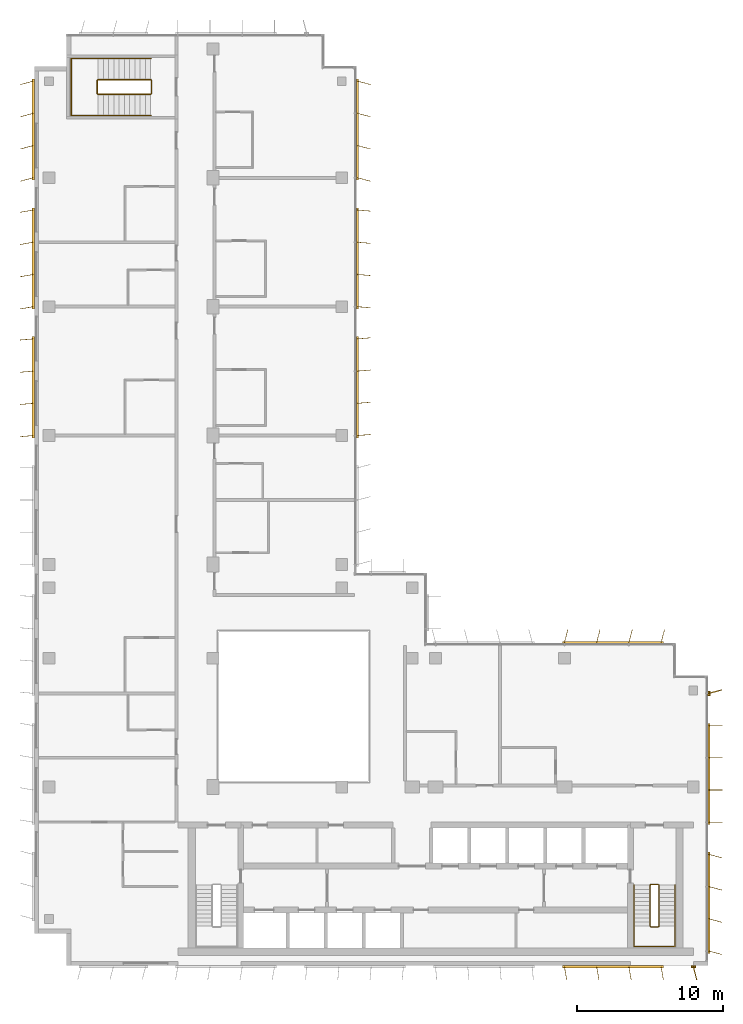
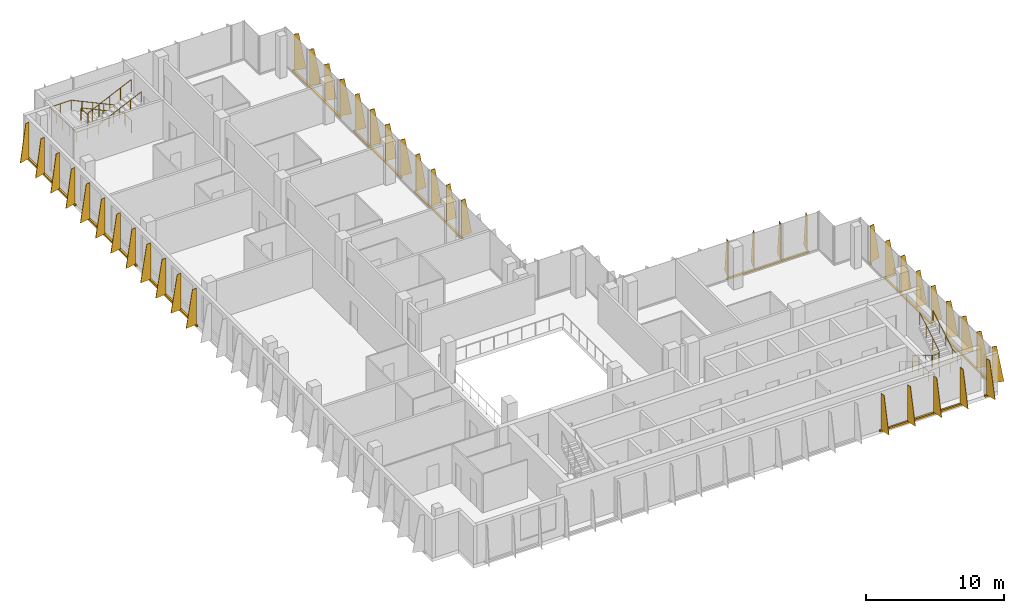
# One storey, part 14 of 15: 12 shading devices, 4 railings.
"""IFC4 building model written with IfcOpenShell, lengths in metres."""

import ifcopenshell
import ifcopenshell.guid

model = None  # the IFC model being written
_history = None  # IfcOwnerHistory: only IFC2X3 demands one
_inside = {}  # id of a spatial element -> (the spatial element, [elements in it])
_under = {}  # id of a project, library or spatial element -> (it, [spatial elements below it])
_declared = {}  # id of a project -> (the project, [libraries it declares])
_typed = {}  # id of a type object -> (the type object, [elements of that type])
_made_of = {}  # id of a material, layer set ... -> (it, [elements and type objects made of it])


def new_model(schema):
    """Start an empty IFC model of exactly this schema.

    Asked for "IFC4X3", IfcOpenShell would pick the latest addendum, in which some entities
    have other attributes; the version numbers below select the first issue.
    IFC2X3 requires an IfcOwnerHistory on every rooted entity: one is made here for all.
    """
    global model, _history
    if schema == "IFC4X3":
        model = ifcopenshell.file(schema_version=(4, 3, 0, 0))
    else:
        model = ifcopenshell.file(schema=schema)
    _inside.clear()
    _under.clear()
    _declared.clear()
    _typed.clear()
    _made_of.clear()
    _history = None
    if model.schema == "IFC2X3":
        org = make("IfcOrganization", Name="unknown")
        user = make(
            "IfcPersonAndOrganization",
            ThePerson=make("IfcPerson", FamilyName="unknown"),
            TheOrganization=org,
        )
        app = make(
            "IfcApplication",
            ApplicationDeveloper=org,
            Version="unknown",
            ApplicationFullName="unknown",
            ApplicationIdentifier="unknown",
        )
        _history = make(
            "IfcOwnerHistory",
            OwningUser=user,
            OwningApplication=app,
            ChangeAction="ADDED",
            CreationDate=0,
        )
    return model


def make(cls, **values):
    """One entity of the class cls with the attributes given. An attribute that is None is left unset."""
    return model.create_entity(
        cls, **{name: value for name, value in values.items() if value is not None}
    )


def rooted(cls, **values):
    """An entity with a GlobalId (a new one), such as an element, a storey or a relation."""
    return make(cls, GlobalId=ifcopenshell.guid.new(), OwnerHistory=_history, **values)


def si_unit(unit_type, name, prefix=None):
    """IfcSIUnit, for example si_unit("LENGTHUNIT", "METRE", prefix="MILLI")."""
    return make("IfcSIUnit", UnitType=unit_type, Prefix=prefix, Name=name)


def assignment(units):
    """IfcUnitAssignment: the units of a project."""
    return None if units is None else make("IfcUnitAssignment", Units=units)


def point(xyz):
    """IfcCartesianPoint."""
    return None if xyz is None else make("IfcCartesianPoint", Coordinates=xyz)


def direction(xyz):
    """IfcDirection."""
    return None if xyz is None else make("IfcDirection", DirectionRatios=xyz)


def frame(location, z_axis=None, x_axis=None):
    """IfcAxis2Placement3D, a coordinate frame: its origin and axes. An axis left out is left unset."""
    return make(
        "IfcAxis2Placement3D",
        Location=point(location),
        Axis=direction(z_axis),
        RefDirection=direction(x_axis),
    )


def frame_2d(location, x_axis=None):
    """IfcAxis2Placement2D, a coordinate frame in the plane: its origin and x axis."""
    return make(
        "IfcAxis2Placement2D", Location=point(location), RefDirection=direction(x_axis)
    )


def origin():
    """The frame at (0, 0, 0) with its axes left unset."""
    return frame((0.0, 0.0, 0.0))


def origin_2d():
    """The frame at (0, 0) in the plane with its x axis left unset."""
    return frame_2d((0.0, 0.0))


def place(relative_to, where):
    """IfcLocalPlacement: puts the frame where relative to a parent placement (None: the world)."""
    return make(
        "IfcLocalPlacement", PlacementRelTo=relative_to, RelativePlacement=where
    )


def context(
    kind, dimensions, precision=None, world=None, true_north=None, identifier=None
):
    """IfcGeometricRepresentationContext, for example the 3D "Model" context."""
    return make(
        "IfcGeometricRepresentationContext",
        ContextIdentifier=identifier,
        ContextType=kind,
        CoordinateSpaceDimension=dimensions,
        Precision=precision,
        WorldCoordinateSystem=world,
        TrueNorth=true_north,
    )


def subcontext(parent, identifier, kind, view, scale=None):
    """IfcGeometricRepresentationSubContext, for example "Body" below "Model"."""
    return make(
        "IfcGeometricRepresentationSubContext",
        ContextIdentifier=identifier,
        ContextType=kind,
        ParentContext=parent,
        TargetScale=scale,
        TargetView=view,
    )


def project(units=None, contexts=None):
    """IfcProject with its units and contexts."""
    return rooted(
        "IfcProject",
        Name="project",
        RepresentationContexts=contexts,
        UnitsInContext=assignment(units),
    )


def spatial(cls, under=None, at=None, **own):
    """A site, building, storey or space (cls), placed at a placement, below another one or the project."""
    s = rooted(cls, ObjectPlacement=at, **own)
    if under is not None:
        _under.setdefault(under.id(), (under, []))[1].append(s)
    return s


def polyline(points):
    """IfcPolyline through the points."""
    return make("IfcPolyline", Points=[point(p) for p in points])


def profile(cls, at=None, kind="AREA", **sizes):
    """A parametric profile (cls). Its sizes go by their IFC names, for example OverallWidth=200.0."""
    return make(cls, ProfileType=kind, Position=at, **sizes)


def rectangle(**sizes):
    """IfcRectangleProfileDef."""
    return profile("IfcRectangleProfileDef", **sizes)


def circle(**sizes):
    """IfcCircleProfileDef."""
    return profile("IfcCircleProfileDef", **sizes)


def outline(outer, holes=None, kind="AREA"):
    """IfcArbitraryClosedProfileDef: a profile drawn as a closed curve; with holes, ...WithVoids."""
    if holes is None:
        return make("IfcArbitraryClosedProfileDef", ProfileType=kind, OuterCurve=outer)
    return make(
        "IfcArbitraryProfileDefWithVoids",
        ProfileType=kind,
        OuterCurve=outer,
        InnerCurves=holes,
    )


def extrude(swept, where, along, depth):
    """IfcExtrudedAreaSolid: the profile swept, set in the frame where, extruded along a direction by depth."""
    return make(
        "IfcExtrudedAreaSolid",
        SweptArea=swept,
        Position=where,
        ExtrudedDirection=direction(along),
        Depth=depth,
    )


def shape(context_of_items, identifier, shape_type, items):
    """IfcShapeRepresentation: the items that make up one representation, for example the "Body"."""
    return make(
        "IfcShapeRepresentation",
        ContextOfItems=context_of_items,
        RepresentationIdentifier=identifier,
        RepresentationType=shape_type,
        Items=items,
    )


def source(mapping_origin, context_of_items, identifier, shape_type, items):
    """IfcRepresentationMap: a shape defined once, which mapped items show again and again."""
    return make(
        "IfcRepresentationMap",
        MappingOrigin=mapping_origin,
        MappedRepresentation=shape(context_of_items, identifier, shape_type, items),
    )


def transform(
    local_origin,
    x_axis=None,
    y_axis=None,
    z_axis=None,
    scale=None,
    scale2=None,
    scale3=None,
    uniform=True,
):
    """IfcCartesianTransformationOperator3D, or its non-uniform kind. x_axis, y_axis, z_axis: its Axis1, 2, 3."""
    if uniform:
        return make(
            "IfcCartesianTransformationOperator3D",
            Axis1=direction(x_axis),
            Axis2=direction(y_axis),
            LocalOrigin=point(local_origin),
            Scale=scale,
            Axis3=direction(z_axis),
        )
    return make(
        "IfcCartesianTransformationOperator3DnonUniform",
        Axis1=direction(x_axis),
        Axis2=direction(y_axis),
        LocalOrigin=point(local_origin),
        Scale=scale,
        Axis3=direction(z_axis),
        Scale2=scale2,
        Scale3=scale3,
    )


def mapped(mapping_source, mapping_target):
    """IfcMappedItem: shows the shape of a source again, moved by a transform."""
    return make(
        "IfcMappedItem", MappingSource=mapping_source, MappingTarget=mapping_target
    )


def material(Name=None, Category=None):
    """IfcMaterial."""
    return make("IfcMaterial", Name=Name, Category=Category)


def layer(
    of_material, thickness, ventilated=None, Name=None, Category=None, Priority=None
):
    """IfcMaterialLayer: one layer of a wall or slab, of a material (None: an air gap)."""
    return make(
        "IfcMaterialLayer",
        Material=of_material,
        LayerThickness=thickness,
        IsVentilated=ventilated,
        Name=Name,
        Category=Category,
        Priority=Priority,
    )


def layer_set(layers, Name=None):
    """IfcMaterialLayerSet."""
    return make("IfcMaterialLayerSet", MaterialLayers=layers, LayerSetName=Name)


def made_of(thing, what):
    """Note that an element or type object is made of a material, layer set ...; save() writes the relation."""
    if what is not None:
        _made_of.setdefault(what.id(), (what, []))[1].append(thing)
    return thing


def type_object(cls, material=None, **own):
    """A type object (cls), such as IfcWallType, which elements share."""
    return made_of(rooted(cls, **own), material)


def element(
    cls,
    number,
    at=None,
    inside=None,
    cuts=None,
    type_object=None,
    material=None,
    context=None,
    identifier="Body",
    shape_type=None,
    held_by="IfcProductDefinitionShape",
    body=None,
    shapes=None,
    **own,
):
    """One element of the class cls, such as IfcWall. Its Tag is "e" and its number.

    at: its placement. inside: the storey or other place that contains it. cuts: it is an
    opening in that element (IfcRelVoidsElement). A single representation is given by context,
    identifier, shape_type and body (its items); several are given by shapes. held_by: the class
    of the entity that holds the representations. save() writes the other relations.
    """
    e = rooted(cls, Tag="e%d" % number, ObjectPlacement=at, **own)
    if body is not None:
        shapes = [shape(context, identifier, shape_type, body)]
    if shapes is not None:
        e.Representation = make(held_by, Representations=shapes)
    if inside is not None:
        _inside.setdefault(inside.id(), (inside, []))[1].append(e)
    if cuts is not None:
        rooted(
            "IfcRelVoidsElement", RelatingBuildingElement=cuts, RelatedOpeningElement=e
        )
    if type_object is not None:
        _typed.setdefault(type_object.id(), (type_object, []))[1].append(e)
    return made_of(e, material)


def aggregate(whole, parts):
    """IfcRelAggregates: a whole, such as a stair, and the parts it consists of."""
    return rooted("IfcRelAggregates", RelatingObject=whole, RelatedObjects=parts)


def save(model, path):
    """Write the relations noted so far, then the file.

    IfcRelAggregates (storeys below a building ...), IfcRelContainedInSpatialStructure (elements
    in a storey), IfcRelDefinesByType, IfcRelAssociatesMaterial and IfcRelDeclares: one each for
    every whole, place, type object, material and project.
    """
    for whole, parts in _under.values():
        aggregate(whole, parts)
    for where, things in _inside.values():
        rooted(
            "IfcRelContainedInSpatialStructure",
            RelatedElements=things,
            RelatingStructure=where,
        )
    for kind, things in _typed.values():
        rooted("IfcRelDefinesByType", RelatedObjects=things, RelatingType=kind)
    for what, things in _made_of.values():
        rooted("IfcRelAssociatesMaterial", RelatedObjects=things, RelatingMaterial=what)
    for by, libraries in _declared.values():
        rooted("IfcRelDeclares", RelatingContext=by, RelatedDefinitions=libraries)
    model.write(path)


model = new_model("IFC4")

# Units and contexts
model_context = context("Model", 3, precision=1e-05, world=origin(), true_north=direction((0.0, 1.0)))
body_context = subcontext(model_context, "Body", "Model", "MODEL_VIEW")
ifc_project = project(units=[si_unit("LENGTHUNIT", "METRE"), si_unit("AREAUNIT", "SQUARE_METRE"), si_unit("VOLUMEUNIT", "CUBIC_METRE"), si_unit("PLANEANGLEUNIT", "RADIAN"), si_unit("MASSUNIT", "GRAM", prefix="KILO")], contexts=[model_context])

# Site, building, storey
site_placement = place(None, origin())
site = spatial("IfcSite", under=ifc_project, at=site_placement, CompositionType="ELEMENT")
building_placement = place(site_placement, origin())
building = spatial("IfcBuilding", under=site, at=building_placement, Name="Kemantara Hotel Tower", CompositionType="ELEMENT")
storey_placement = place(building_placement, frame((0.0, 0.0, 230.199951171875)))
storey = spatial("IfcBuildingStorey", under=building, at=storey_placement, Name="L57", CompositionType="ELEMENT", Elevation=230.199951171875)

# Railings
ifc_material_1 = material(Name="Stainless steel balustrade", Category="steel")
railing_type_1 = type_object("IfcRailingType", Name="Stair guard 1100 mm", PredefinedType="GUARDRAIL", material=ifc_material_1)
railing_1_placement = place(storey_placement, frame((42.64990234375, 5.5, 3.699951171875)))
element("IfcRailing", 1, at=railing_1_placement, inside=storey, type_object=railing_type_1, Name="L57 ST2 stair guard 1", PredefinedType="GUARDRAIL", context=body_context, shape_type="SweptSolid", body=[
    extrude(circle(Radius=0.02392578125, at=origin_2d()), frame((0.0, 0.0, 1.076171875), z_axis=(0.0, -0.857275202839, -0.514858452973), x_axis=(1.0, 0.0, 0.0)), (0.0, 0.0, 1.0), 3.26611328125),
    extrude(circle(Radius=0.02392578125, at=origin_2d()), frame((0.0, -2.800048828125, -0.60546875), z_axis=(-0.273006030465, -0.27434429532, -0.922064485248), x_axis=(0.708833529934, -0.705375805398, 0.0)), (0.0, 0.0, 1.0), 0.182373046875),
    extrude(circle(Radius=0.02392578125, at=origin_2d()), frame((-0.0498046875, -2.85009765625, -0.77392578125), z_axis=(-1.0, 0.0, 0.0), x_axis=(0.0, -1.0, 0.0)), (0.0, 0.0, 1.0), 0.5),
    extrude(circle(Radius=0.02392578125, at=origin_2d()), frame((-0.5498046875, -2.85009765625, -0.77392578125), z_axis=(-0.707106781187, 0.707106781187, 0.0), x_axis=(-0.707106781187, -0.707106781187, 0.0)), (0.0, 0.0, 1.0), 0.07080078125),
    extrude(circle(Radius=0.02392578125, at=origin_2d()), frame((-0.599853515625, -2.800048828125, -0.77392578125), z_axis=(0.0, 0.857242210791, -0.514913383045), x_axis=(-1.0, 0.0, 0.0)), (0.0, 0.0, 1.0), 3.266357421875),
    extrude(circle(Radius=0.02392578125, at=origin_2d()), frame((-0.599853515625, 0.0, -2.45556640625), z_axis=(0.274243871929, 0.274243871929, -0.92172696468), x_axis=(-0.707106781187, 0.707106781187, 0.0)), (0.0, 0.0, 1.0), 0.1826171875),
    extrude(circle(Radius=0.02392578125, at=origin_2d()), frame((-0.5498046875, 0.050048828125, -2.6240234375), z_axis=(1.0, 0.0, 0.0), x_axis=(0.0, 1.0, 0.0)), (0.0, 0.0, 1.0), 0.5),
    extrude(circle(Radius=0.02099609375, at=origin_2d()), origin(), (0.0, 0.0, 1.0), 1.052001953125),
    extrude(circle(Radius=0.02099609375, at=origin_2d()), frame((0.0, -0.933349609375, -0.560546875)), (0.0, 0.0, 1.0), 1.052001953125),
    extrude(circle(Radius=0.02099609375, at=origin_2d()), frame((0.0, -1.86669921875, -1.12109375)), (0.0, 0.0, 1.0), 1.052001953125),
    extrude(circle(Radius=0.02099609375, at=origin_2d()), frame((0.0, -2.800048828125, -1.681640625)), (0.0, 0.0, 1.0), 1.052001953125),
    extrude(circle(Radius=0.02099609375, at=origin_2d()), frame((-0.0498046875, -2.85009765625, -1.849853515625)), (0.0, 0.0, 1.0), 1.052001953125),
    extrude(circle(Radius=0.02099609375, at=origin_2d()), frame((-0.5498046875, -2.85009765625, -1.849853515625)), (0.0, 0.0, 1.0), 1.052001953125),
    extrude(circle(Radius=0.02099609375, at=origin_2d()), frame((-0.599853515625, -2.800048828125, -1.849853515625)), (0.0, 0.0, 1.0), 1.052001953125),
    extrude(circle(Radius=0.02099609375, at=origin_2d()), frame((-0.599853515625, -1.86669921875, -2.410400390625)), (0.0, 0.0, 1.0), 1.052001953125),
    extrude(circle(Radius=0.02099609375, at=origin_2d()), frame((-0.599853515625, -0.933349609375, -2.97119140625)), (0.0, 0.0, 1.0), 1.052001953125),
    extrude(circle(Radius=0.02099609375, at=origin_2d()), frame((-0.599853515625, 0.0, -3.53173828125)), (0.0, 0.0, 1.0), 1.052001953125),
    extrude(circle(Radius=0.02099609375, at=origin_2d()), frame((-0.5498046875, 0.050048828125, -3.699951171875)), (0.0, 0.0, 1.0), 1.052001953125),
    extrude(circle(Radius=0.02099609375, at=origin_2d()), frame((-0.0498046875, 0.050048828125, -3.699951171875)), (0.0, 0.0, 1.0), 1.052001953125),
])
railing_2_placement = place(storey_placement, frame((7.949951171875, 59.5, 3.699951171875)))
element("IfcRailing", 2, at=railing_2_placement, inside=storey, type_object=railing_type_1, Name="L57 ST4 stair guard 1", PredefinedType="GUARDRAIL", context=body_context, shape_type="SweptSolid", body=[
    extrude(circle(Radius=0.02392578125, at=origin_2d()), frame((0.0, 0.0, 1.076171875), z_axis=(-0.906018243939, 0.0, -0.423238634402), x_axis=(0.0, -1.0, 0.0)), (0.0, 0.0, 1.0), 3.973388671875),
    extrude(circle(Radius=0.02392578125, at=origin_2d()), frame((-3.599853515625, 0.0, -0.60546875), z_axis=(-0.274243871929, 0.274243871929, -0.92172696468), x_axis=(-0.707106781187, -0.707106781187, 0.0)), (0.0, 0.0, 1.0), 0.1826171875),
    extrude(circle(Radius=0.02392578125, at=origin_2d()), frame((-3.64990234375, 0.050048828125, -0.77392578125), z_axis=(0.0, 1.0, 0.0), x_axis=(-1.0, 0.0, 0.0)), (0.0, 0.0, 1.0), 0.89990234375),
    extrude(circle(Radius=0.02392578125, at=origin_2d()), frame((-3.64990234375, 0.949951171875, -0.77392578125), z_axis=(0.707106781187, 0.707106781187, 0.0), x_axis=(-0.707106781187, 0.707106781187, 0.0)), (0.0, 0.0, 1.0), 0.07080078125),
    extrude(circle(Radius=0.02392578125, at=origin_2d()), frame((-3.599853515625, 1.0, -0.77392578125), z_axis=(0.905994681025, 0.0, -0.423289071386), x_axis=(0.0, 1.0, 0.0)), (0.0, 0.0, 1.0), 3.973388671875),
    extrude(circle(Radius=0.02392578125, at=origin_2d()), frame((0.0, 1.0, -2.45556640625), z_axis=(0.274243871929, -0.274243871929, -0.92172696468), x_axis=(0.707106781187, 0.707106781187, 0.0)), (0.0, 0.0, 1.0), 0.1826171875),
    extrude(circle(Radius=0.02392578125, at=origin_2d()), frame((0.050048828125, 0.949951171875, -2.6240234375), z_axis=(0.0, -1.0, 0.0), x_axis=(1.0, 0.0, 0.0)), (0.0, 0.0, 1.0), 0.89990234375),
    extrude(circle(Radius=0.02099609375, at=origin_2d()), origin(), (0.0, 0.0, 1.0), 1.052001953125),
    extrude(circle(Radius=0.02099609375, at=origin_2d()), frame((-0.89990234375, 0.0, -0.42041015625)), (0.0, 0.0, 1.0), 1.052001953125),
    extrude(circle(Radius=0.02099609375, at=origin_2d()), frame((-1.7998046875, 0.0, -0.8408203125)), (0.0, 0.0, 1.0), 1.052001953125),
    extrude(circle(Radius=0.02099609375, at=origin_2d()), frame((-2.699951171875, 0.0, -1.26123046875)), (0.0, 0.0, 1.0), 1.052001953125),
    extrude(circle(Radius=0.02099609375, at=origin_2d()), frame((-3.599853515625, 0.0, -1.681640625)), (0.0, 0.0, 1.0), 1.052001953125),
    extrude(circle(Radius=0.02099609375, at=origin_2d()), frame((-3.64990234375, 0.050048828125, -1.849853515625)), (0.0, 0.0, 1.0), 1.052001953125),
    extrude(circle(Radius=0.02099609375, at=origin_2d()), frame((-3.64990234375, 0.949951171875, -1.849853515625)), (0.0, 0.0, 1.0), 1.052001953125),
    extrude(circle(Radius=0.02099609375, at=origin_2d()), frame((-3.599853515625, 1.0, -1.849853515625)), (0.0, 0.0, 1.0), 1.052001953125),
    extrude(circle(Radius=0.02099609375, at=origin_2d()), frame((-2.699951171875, 1.0, -2.270263671875)), (0.0, 0.0, 1.0), 1.052001953125),
    extrude(circle(Radius=0.02099609375, at=origin_2d()), frame((-1.7998046875, 1.0, -2.69091796875)), (0.0, 0.0, 1.0), 1.052001953125),
    extrude(circle(Radius=0.02099609375, at=origin_2d()), frame((-0.89990234375, 1.0, -3.111328125)), (0.0, 0.0, 1.0), 1.052001953125),
    extrude(circle(Radius=0.02099609375, at=origin_2d()), frame((0.0, 1.0, -3.53173828125)), (0.0, 0.0, 1.0), 1.052001953125),
    extrude(circle(Radius=0.02099609375, at=origin_2d()), frame((0.050048828125, 0.949951171875, -3.699951171875)), (0.0, 0.0, 1.0), 1.052001953125),
    extrude(circle(Radius=0.02099609375, at=origin_2d()), frame((0.050048828125, 0.050048828125, -3.699951171875)), (0.0, 0.0, 1.0), 1.052001953125),
])
railing_type_2 = type_object("IfcRailingType", Name="Stair handrail 900 mm", PredefinedType="HANDRAIL", material=ifc_material_1)
railing_3_placement = place(storey_placement, frame((40.949951171875, 5.5, 0.168212890625)))
element("IfcRailing", 3, at=railing_3_placement, inside=storey, type_object=railing_type_2, Name="L57 ST2 stair handrail 1", PredefinedType="HANDRAIL", context=body_context, shape_type="SweptSolid", body=[
    extrude(circle(Radius=0.02392578125, at=origin_2d()), frame((0.0, 0.0, 0.8759765625), z_axis=(0.0, -0.857242210791, 0.514913383045), x_axis=(1.0, 0.0, 0.0)), (0.0, 0.0, 1.0), 3.266357421875),
    extrude(circle(Radius=0.02392578125, at=origin_2d()), frame((0.0, -2.800048828125, 2.5576171875), z_axis=(0.0, -1.0, 0.0), x_axis=(1.0, 0.0, 0.0)), (0.0, 0.0, 1.0), 1.3798828125),
    extrude(circle(Radius=0.02392578125, at=origin_2d()), frame((0.0, -4.179931640625, 2.5576171875), z_axis=(0.998200367801, 0.0, 0.059966871865), x_axis=(0.0, 1.0, 0.0)), (0.0, 0.0, 1.0), 2.80517578125),
    extrude(circle(Radius=0.02392578125, at=origin_2d()), frame((2.800048828125, -4.179931640625, 2.72607421875), z_axis=(0.0, 1.0, 0.0), x_axis=(-1.0, 0.0, 0.0)), (0.0, 0.0, 1.0), 1.3798828125),
    extrude(circle(Radius=0.02392578125, at=origin_2d()), frame((2.800048828125, -2.800048828125, 2.72607421875), z_axis=(0.0, 0.857275202839, 0.514858452973), x_axis=(-1.0, 0.0, 0.0)), (0.0, 0.0, 1.0), 3.26611328125),
    extrude(circle(Radius=0.02099609375, at=origin_2d()), origin(), (0.0, 0.0, 1.0), 0.851806640625),
    extrude(circle(Radius=0.02099609375, at=origin_2d()), frame((0.0, -0.933349609375, 0.560546875)), (0.0, 0.0, 1.0), 0.851806640625),
    extrude(circle(Radius=0.02099609375, at=origin_2d()), frame((0.0, -1.86669921875, 1.121337890625)), (0.0, 0.0, 1.0), 0.851806640625),
    extrude(circle(Radius=0.02099609375, at=origin_2d()), frame((0.0, -2.800048828125, 1.681884765625)), (0.0, 0.0, 1.0), 0.851806640625),
    extrude(circle(Radius=0.02099609375, at=origin_2d()), frame((0.0, -3.489990234375, 1.681884765625)), (0.0, 0.0, 1.0), 0.851806640625),
    extrude(circle(Radius=0.02099609375, at=origin_2d()), frame((0.0, -4.179931640625, 1.681884765625)), (0.0, 0.0, 1.0), 0.851806640625),
    extrude(circle(Radius=0.02099609375, at=origin_2d()), frame((0.933349609375, -4.179931640625, 1.738037109375)), (0.0, 0.0, 1.0), 0.851806640625),
    extrude(circle(Radius=0.02099609375, at=origin_2d()), frame((1.86669921875, -4.179931640625, 1.7939453125)), (0.0, 0.0, 1.0), 0.851806640625),
    extrude(circle(Radius=0.02099609375, at=origin_2d()), frame((2.800048828125, -4.179931640625, 1.85009765625)), (0.0, 0.0, 1.0), 0.851806640625),
    extrude(circle(Radius=0.02099609375, at=origin_2d()), frame((2.800048828125, -3.489990234375, 1.85009765625)), (0.0, 0.0, 1.0), 0.851806640625),
    extrude(circle(Radius=0.02099609375, at=origin_2d()), frame((2.800048828125, -2.800048828125, 1.85009765625)), (0.0, 0.0, 1.0), 0.851806640625),
    extrude(circle(Radius=0.02099609375, at=origin_2d()), frame((2.800048828125, -1.86669921875, 2.41064453125)), (0.0, 0.0, 1.0), 0.851806640625),
    extrude(circle(Radius=0.02099609375, at=origin_2d()), frame((2.800048828125, -0.933349609375, 2.97119140625)), (0.0, 0.0, 1.0), 0.851806640625),
    extrude(circle(Radius=0.02099609375, at=origin_2d()), frame((2.800048828125, 0.0, 3.53173828125)), (0.0, 0.0, 1.0), 0.851806640625),
])
railing_4_placement = place(storey_placement, frame((7.949951171875, 61.949951171875, 0.168212890625)))
element("IfcRailing", 4, at=railing_4_placement, inside=storey, type_object=railing_type_2, Name="L57 ST4 stair handrail 1", PredefinedType="HANDRAIL", context=body_context, shape_type="SweptSolid", body=[
    extrude(circle(Radius=0.02392578125, at=origin_2d()), frame((0.0, 0.0, 0.8759765625), z_axis=(-0.905994681025, 0.0, 0.423289071386), x_axis=(0.0, -1.0, 0.0)), (0.0, 0.0, 1.0), 3.973388671875),
    extrude(circle(Radius=0.02392578125, at=origin_2d()), frame((-3.599853515625, 0.0, 2.5576171875), z_axis=(-1.0, 0.0, 0.0), x_axis=(0.0, -1.0, 0.0)), (0.0, 0.0, 1.0), 1.830078125),
    extrude(circle(Radius=0.02392578125, at=origin_2d()), frame((-5.429931640625, 0.0, 2.5576171875), z_axis=(0.0, -0.999071085748, 0.043092523981), x_axis=(1.0, 0.0, 0.0)), (0.0, 0.0, 1.0), 3.903564453125),
    extrude(circle(Radius=0.02392578125, at=origin_2d()), frame((-5.429931640625, -3.89990234375, 2.72607421875), z_axis=(1.0, 0.0, 0.0), x_axis=(0.0, 1.0, 0.0)), (0.0, 0.0, 1.0), 1.830078125),
    extrude(circle(Radius=0.02392578125, at=origin_2d()), frame((-3.599853515625, -3.89990234375, 2.72607421875), z_axis=(0.906018243939, 0.0, 0.423238634402), x_axis=(0.0, 1.0, 0.0)), (0.0, 0.0, 1.0), 3.973388671875),
    extrude(circle(Radius=0.02099609375, at=origin_2d()), origin(), (0.0, 0.0, 1.0), 0.851806640625),
    extrude(circle(Radius=0.02099609375, at=origin_2d()), frame((-0.89990234375, 0.0, 0.42041015625)), (0.0, 0.0, 1.0), 0.851806640625),
    extrude(circle(Radius=0.02099609375, at=origin_2d()), frame((-1.7998046875, 0.0, 0.8408203125)), (0.0, 0.0, 1.0), 0.851806640625),
    extrude(circle(Radius=0.02099609375, at=origin_2d()), frame((-2.699951171875, 0.0, 1.261474609375)), (0.0, 0.0, 1.0), 0.851806640625),
    extrude(circle(Radius=0.02099609375, at=origin_2d()), frame((-3.599853515625, 0.0, 1.681884765625)), (0.0, 0.0, 1.0), 0.851806640625),
    extrude(circle(Radius=0.02099609375, at=origin_2d()), frame((-4.514892578125, 0.0, 1.681884765625)), (0.0, 0.0, 1.0), 0.851806640625),
    extrude(circle(Radius=0.02099609375, at=origin_2d()), frame((-5.429931640625, 0.0, 1.681884765625)), (0.0, 0.0, 1.0), 0.851806640625),
    extrude(circle(Radius=0.02099609375, at=origin_2d()), frame((-5.429931640625, -0.97509765625, 1.723876953125)), (0.0, 0.0, 1.0), 0.851806640625),
    extrude(circle(Radius=0.02099609375, at=origin_2d()), frame((-5.429931640625, -1.949951171875, 1.76611328125)), (0.0, 0.0, 1.0), 0.851806640625),
    extrude(circle(Radius=0.02099609375, at=origin_2d()), frame((-5.429931640625, -2.9248046875, 1.80810546875)), (0.0, 0.0, 1.0), 0.851806640625),
    extrude(circle(Radius=0.02099609375, at=origin_2d()), frame((-5.429931640625, -3.89990234375, 1.85009765625)), (0.0, 0.0, 1.0), 0.851806640625),
    extrude(circle(Radius=0.02099609375, at=origin_2d()), frame((-4.514892578125, -3.89990234375, 1.85009765625)), (0.0, 0.0, 1.0), 0.851806640625),
    extrude(circle(Radius=0.02099609375, at=origin_2d()), frame((-3.599853515625, -3.89990234375, 1.85009765625)), (0.0, 0.0, 1.0), 0.851806640625),
    extrude(circle(Radius=0.02099609375, at=origin_2d()), frame((-2.699951171875, -3.89990234375, 2.2705078125)), (0.0, 0.0, 1.0), 0.851806640625),
    extrude(circle(Radius=0.02099609375, at=origin_2d()), frame((-1.7998046875, -3.89990234375, 2.69091796875)), (0.0, 0.0, 1.0), 0.851806640625),
    extrude(circle(Radius=0.02099609375, at=origin_2d()), frame((-0.89990234375, -3.89990234375, 3.111328125)), (0.0, 0.0, 1.0), 0.851806640625),
    extrude(circle(Radius=0.02099609375, at=origin_2d()), frame((0.0, -3.89990234375, 3.53173828125)), (0.0, 0.0, 1.0), 0.851806640625),
])

# Shading devices
ifc_material_2 = material(Name="Perforated aluminium plate 4 mm bronze anodised", Category="aluminium")
ifc_layer_1 = layer(ifc_material_2, 0.0400390625)
ifc_layer_set_1 = layer_set([ifc_layer_1], Name="Perforated aluminium plate 4 mm bronze anodised")
shading_device_type_1 = type_object("IfcShadingDeviceType", Name="SCREEN FIN CASSETTE, 4 BLADES AT -5.0 DEG, 3200 HIGH", PredefinedType="USERDEFINED", material=ifc_layer_set_1)
shared_shape_1 = source(origin(), body_context, "Body", "SweptSolid", [
    extrude(rectangle(XDim=6.89990234375, YDim=0.14990234375, at=origin_2d()), frame((3.300048828125, -0.074951171875, -0.14990234375), z_axis=(0.0, 0.0, 1.0), x_axis=(1.0, 0.0, 0.0)), (0.0, 0.0, 1.0), 0.14990234375),
    extrude(outline(polyline([(0.0, 0.0), (0.89990234375, 0.0), (0.35009765625, 3.199951171875), (0.0, 3.199951171875), (0.0, 0.0)])), frame((0.02001953125, -0.07666015625, 0.0), z_axis=(-0.996376129781, 0.085056498884, 0.0), x_axis=(-0.085056498884, -0.996376129781, 0.0)), (0.0, 0.0, 1.0), 0.040283203125),
    extrude(outline(polyline([(0.0, 0.0), (0.89990234375, 0.0), (0.35009765625, 3.199951171875), (0.0, 3.199951171875), (0.0, 0.0)])), frame((2.219970703125, -0.07666015625, 0.0), z_axis=(-0.996331773833, 0.085574508182, 0.0), x_axis=(-0.085574508182, -0.996331773833, 0.0)), (0.0, 0.0, 1.0), 0.0400390625),
    extrude(outline(polyline([(0.0, 0.0), (0.89990234375, 0.0), (0.35009765625, 3.199951171875), (0.0, 3.199951171875), (0.0, 0.0)])), frame((4.419921875, -0.07666015625, 0.0), z_axis=(-0.996331773833, 0.085574508182, 0.0), x_axis=(-0.085574508182, -0.996331773833, 0.0)), (0.0, 0.0, 1.0), 0.0400390625),
    extrude(outline(polyline([(0.0, 0.0), (0.89990234375, 0.0), (0.35009765625, 3.199951171875), (0.0, 3.199951171875), (0.0, 0.0)])), frame((6.619873046875, -0.07666015625, 0.0), z_axis=(-0.996331773833, 0.085574508182, 0.0), x_axis=(-0.085574508182, -0.996331773833, 0.0)), (0.0, 0.0, 1.0), 0.0400390625),
])
shading_device_1_placement = place(storey_placement, frame((22.0, 45.0, 0.10009765625), z_axis=(0.0, 0.0, 1.0), x_axis=(0.0, 1.0, 0.0)))
element("IfcShadingDevice", 5, at=shading_device_1_placement, inside=storey, type_object=shading_device_type_1, Name="SCREEN FIN CASSETTE L57 T4-R15-3", ObjectType="SCREEN FIN", PredefinedType="USERDEFINED", context=body_context, shape_type="MappedRepresentation", body=[
    mapped(shared_shape_1, transform((0.0, 0.0, 0.0))),
])
ifc_layer_2 = layer(ifc_material_2, 0.0400390625)
ifc_layer_set_2 = layer_set([ifc_layer_2], Name="Perforated aluminium plate 4 mm bronze anodised")
shading_device_type_2 = type_object("IfcShadingDeviceType", Name="SCREEN FIN CASSETTE, 4 BLADES AT +0.0 DEG, 3200 HIGH", PredefinedType="USERDEFINED", material=ifc_layer_set_2)
shared_shape_2 = source(origin(), body_context, "Body", "SweptSolid", [
    extrude(rectangle(XDim=6.89990234375, YDim=0.14990234375, at=origin_2d()), frame((3.300048828125, -0.074951171875, -0.14990234375), z_axis=(0.0, 0.0, 1.0), x_axis=(1.0, 0.0, 0.0)), (0.0, 0.0, 1.0), 0.14990234375),
    extrude(outline(polyline([(0.0, 0.0), (0.89990234375, 0.0), (0.35009765625, 3.199951171875), (0.0, 3.199951171875), (0.0, 0.0)])), frame((0.02001953125, -0.074951171875, 0.0), z_axis=(-1.0, 0.0, 0.0), x_axis=(0.0, -1.0, 0.0)), (0.0, 0.0, 1.0), 0.0400390625),
    extrude(outline(polyline([(0.0, 0.0), (0.89990234375, 0.0), (0.35009765625, 3.199951171875), (0.0, 3.199951171875), (0.0, 0.0)])), frame((2.219970703125, -0.074951171875, 0.0), z_axis=(-1.0, 0.0, 0.0), x_axis=(0.0, -1.0, 0.0)), (0.0, 0.0, 1.0), 0.0400390625),
    extrude(outline(polyline([(0.0, 0.0), (0.89990234375, 0.0), (0.35009765625, 3.199951171875), (0.0, 3.199951171875), (0.0, 0.0)])), frame((4.419921875, -0.074951171875, 0.0), z_axis=(-1.0, 0.0, 0.0), x_axis=(0.0, -1.0, 0.0)), (0.0, 0.0, 1.0), 0.0400390625),
    extrude(outline(polyline([(0.0, 0.0), (0.89990234375, 0.0), (0.35009765625, 3.199951171875), (0.0, 3.199951171875), (0.0, 0.0)])), frame((6.6201171875, -0.074951171875, 0.0), z_axis=(-1.0, 0.0, 0.0), x_axis=(0.0, -1.0, 0.0)), (0.0, 0.0, 1.0), 0.0400390625),
])
shading_device_2_placement = place(storey_placement, frame((46.0, 9.800048828125, 0.10009765625), z_axis=(0.0, 0.0, 1.0), x_axis=(0.0, 1.0, 0.0)))
element("IfcShadingDevice", 6, at=shading_device_2_placement, inside=storey, type_object=shading_device_type_2, Name="SCREEN FIN CASSETTE L57 T4-R09-2", ObjectType="SCREEN FIN", PredefinedType="USERDEFINED", context=body_context, shape_type="MappedRepresentation", body=[
    mapped(shared_shape_2, transform((0.0, 0.0, 0.0))),
])
ifc_layer_3 = layer(ifc_material_2, 0.0400390625)
ifc_layer_set_3 = layer_set([ifc_layer_3], Name="Perforated aluminium plate 4 mm bronze anodised")
shading_device_type_3 = type_object("IfcShadingDeviceType", Name="SCREEN FIN CASSETTE, 4 BLADES AT +5.0 DEG, 3200 HIGH", PredefinedType="USERDEFINED", material=ifc_layer_set_3)
shared_shape_3 = source(origin(), body_context, "Body", "SweptSolid", [
    extrude(rectangle(XDim=6.89990234375, YDim=0.14990234375, at=origin_2d()), frame((3.300048828125, -0.074951171875, -0.14990234375), z_axis=(0.0, 0.0, 1.0), x_axis=(1.0, 0.0, 0.0)), (0.0, 0.0, 1.0), 0.14990234375),
    extrude(outline(polyline([(0.0, 0.0), (0.89990234375, 0.0), (0.35009765625, 3.199951171875), (0.0, 3.199951171875), (0.0, 0.0)])), frame((0.02001953125, -0.0732421875, 0.0), z_axis=(-0.996376129781, -0.085056498884, 0.0), x_axis=(0.085056498884, -0.996376129781, 0.0)), (0.0, 0.0, 1.0), 0.040283203125),
    extrude(outline(polyline([(0.0, 0.0), (0.89990234375, 0.0), (0.35009765625, 3.199951171875), (0.0, 3.199951171875), (0.0, 0.0)])), frame((2.219970703125, -0.0732421875, 0.0), z_axis=(-0.996331773833, -0.085574508182, 0.0), x_axis=(0.085574508182, -0.996331773833, 0.0)), (0.0, 0.0, 1.0), 0.0400390625),
    extrude(outline(polyline([(0.0, 0.0), (0.89990234375, 0.0), (0.35009765625, 3.199951171875), (0.0, 3.199951171875), (0.0, 0.0)])), frame((4.419921875, -0.0732421875, 0.0), z_axis=(-0.996331773833, -0.085574508182, 0.0), x_axis=(0.085574508182, -0.996331773833, 0.0)), (0.0, 0.0, 1.0), 0.0400390625),
    extrude(outline(polyline([(0.0, 0.0), (0.89990234375, 0.0), (0.35009765625, 3.199951171875), (0.0, 3.199951171875), (0.0, 0.0)])), frame((6.619873046875, -0.0732421875, 0.0), z_axis=(-0.996331773833, -0.085574508182, 0.0), x_axis=(0.085574508182, -0.996331773833, 0.0)), (0.0, 0.0, 1.0), 0.0400390625),
])
for number, where, z_axis, x_axis, name in (
    (7, (0.0, 42.800048828125, 0.10009765625), (0.0, 0.0, 1.0), (0.0, -1.0, 0.0), "SCREEN FIN CASSETTE L57 T4-R05-3"),
    (8, (22.0, 36.199951171875, 0.10009765625), (0.0, 0.0, 1.0), (0.0, 1.0, 0.0), "SCREEN FIN CASSETTE L57 T4-R15-2"),
):
    element("IfcShadingDevice", number, at=place(storey_placement, frame(where, z_axis=z_axis, x_axis=x_axis)), inside=storey, type_object=shading_device_type_3, Name=name, ObjectType="SCREEN FIN", PredefinedType="USERDEFINED", context=body_context, shape_type="MappedRepresentation", body=[
        mapped(shared_shape_3, transform((0.0, 0.0, 0.0))),
    ])
ifc_layer_4 = layer(ifc_material_2, 0.0400390625)
ifc_layer_set_4 = layer_set([ifc_layer_4], Name="Perforated aluminium plate 4 mm bronze anodised")
shading_device_type_4 = type_object("IfcShadingDeviceType", Name="SCREEN FIN CASSETTE, 4 BLADES AT +10.0 DEG, 3200 HIGH", PredefinedType="USERDEFINED", material=ifc_layer_set_4)
shared_shape_4 = source(origin(), body_context, "Body", "SweptSolid", [
    extrude(rectangle(XDim=6.89990234375, YDim=0.14990234375, at=origin_2d()), frame((3.300048828125, -0.074951171875, -0.14990234375), z_axis=(0.0, 0.0, 1.0), x_axis=(1.0, 0.0, 0.0)), (0.0, 0.0, 1.0), 0.14990234375),
    extrude(outline(polyline([(0.0, 0.0), (0.89990234375, 0.0), (0.35009765625, 3.199951171875), (0.0, 3.199951171875), (0.0, 0.0)])), frame((0.019775390625, -0.071533203125, 0.0), z_axis=(-0.985389793052, -0.170314285219, 0.0), x_axis=(0.170314285219, -0.985389793052, 0.0)), (0.0, 0.0, 1.0), 0.0400390625),
    extrude(outline(polyline([(0.0, 0.0), (0.89990234375, 0.0), (0.35009765625, 3.199951171875), (0.0, 3.199951171875), (0.0, 0.0)])), frame((2.2197265625, -0.071533203125, 0.0), z_axis=(-0.98521175482, -0.171341174751, 0.0), x_axis=(0.171341174751, -0.98521175482, 0.0)), (0.0, 0.0, 1.0), 0.039794921875),
    extrude(outline(polyline([(0.0, 0.0), (0.89990234375, 0.0), (0.35009765625, 3.199951171875), (0.0, 3.199951171875), (0.0, 0.0)])), frame((4.419677734375, -0.071533203125, 0.0), z_axis=(-0.98521175482, -0.171341174751, 0.0), x_axis=(0.171341174751, -0.98521175482, 0.0)), (0.0, 0.0, 1.0), 0.039794921875),
    extrude(outline(polyline([(0.0, 0.0), (0.89990234375, 0.0), (0.35009765625, 3.199951171875), (0.0, 3.199951171875), (0.0, 0.0)])), frame((6.61962890625, -0.071533203125, 0.0), z_axis=(-0.98521175482, -0.171341174751, 0.0), x_axis=(0.171341174751, -0.98521175482, 0.0)), (0.0, 0.0, 1.0), 0.039794921875),
])
for number, where, z_axis, x_axis, name in (
    (9, (0.0, 51.60009765625, 0.10009765625), (0.0, 0.0, 1.0), (0.0, -1.0, 0.0), "SCREEN FIN CASSETTE L57 T4-R05-2"),
    (10, (36.199951171875, 0.0, 0.10009765625), (0.0, 0.0, 1.0), (1.0, 0.0, 0.0), "SCREEN FIN CASSETTE L57 T4-R08-5"),
):
    element("IfcShadingDevice", number, at=place(storey_placement, frame(where, z_axis=z_axis, x_axis=x_axis)), inside=storey, type_object=shading_device_type_4, Name=name, ObjectType="SCREEN FIN", PredefinedType="USERDEFINED", context=body_context, shape_type="MappedRepresentation", body=[
        mapped(shared_shape_4, transform((0.0, 0.0, 0.0))),
    ])
ifc_layer_5 = layer(ifc_material_2, 0.0400390625)
ifc_layer_set_5 = layer_set([ifc_layer_5], Name="Perforated aluminium plate 4 mm bronze anodised")
shading_device_type_5 = type_object("IfcShadingDeviceType", Name="SCREEN FIN CASSETTE, 4 BLADES AT +15.0 DEG, 3200 HIGH", PredefinedType="USERDEFINED", material=ifc_layer_set_5)
shared_shape_5 = source(origin(), body_context, "Body", "SweptSolid", [
    extrude(rectangle(XDim=6.89990234375, YDim=0.14990234375, at=origin_2d()), frame((3.300048828125, -0.074951171875, -0.14990234375), z_axis=(0.0, 0.0, 1.0), x_axis=(1.0, 0.0, 0.0)), (0.0, 0.0, 1.0), 0.14990234375),
    extrude(outline(polyline([(0.0, 0.0), (0.89990234375, 0.0), (0.35009765625, 3.199951171875), (0.0, 3.199951171875), (0.0, 0.0)])), frame((0.019287109375, -0.06982421875, 0.0), z_axis=(-0.966437683387, -0.256901156343, 0.0), x_axis=(0.256901156343, -0.966437683387, 0.0)), (0.0, 0.0, 1.0), 0.039794921875),
    extrude(outline(polyline([(0.0, 0.0), (0.89990234375, 0.0), (0.35009765625, 3.199951171875), (0.0, 3.199951171875), (0.0, 0.0)])), frame((2.21923828125, -0.06982421875, 0.0), z_axis=(-0.966437683387, -0.256901156343, 0.0), x_axis=(0.256901156343, -0.966437683387, 0.0)), (0.0, 0.0, 1.0), 0.039794921875),
    extrude(outline(polyline([(0.0, 0.0), (0.89990234375, 0.0), (0.35009765625, 3.199951171875), (0.0, 3.199951171875), (0.0, 0.0)])), frame((4.41943359375, -0.06982421875, 0.0), z_axis=(-0.966837822169, -0.255391122837, 0.0), x_axis=(0.255391122837, -0.966837822169, 0.0)), (0.0, 0.0, 1.0), 0.0400390625),
    extrude(outline(polyline([(0.0, 0.0), (0.89990234375, 0.0), (0.35009765625, 3.199951171875), (0.0, 3.199951171875), (0.0, 0.0)])), frame((6.619384765625, -0.06982421875, 0.0), z_axis=(-0.966837822169, -0.255391122837, 0.0), x_axis=(0.255391122837, -0.966837822169, 0.0)), (0.0, 0.0, 1.0), 0.0400390625),
])
shading_device_3_placement = place(storey_placement, frame((0.0, 60.39990234375, 0.10009765625), z_axis=(0.0, 0.0, 1.0), x_axis=(0.0, -1.0, 0.0)))
element("IfcShadingDevice", 11, at=shading_device_3_placement, inside=storey, type_object=shading_device_type_5, Name="SCREEN FIN CASSETTE L57 T4-R05-1", ObjectType="SCREEN FIN", PredefinedType="USERDEFINED", context=body_context, shape_type="MappedRepresentation", body=[
    mapped(shared_shape_5, transform((0.0, 0.0, 0.0))),
])
ifc_layer_6 = layer(ifc_material_2, 0.0400390625)
ifc_layer_set_6 = layer_set([ifc_layer_6], Name="Perforated aluminium plate 4 mm bronze anodised")
shading_device_type_6 = type_object("IfcShadingDeviceType", Name="SCREEN FIN CASSETTE, 4 BLADES AT -15.0 DEG, 3200 HIGH", PredefinedType="USERDEFINED", material=ifc_layer_set_6)
shared_shape_6 = source(origin(), body_context, "Body", "SweptSolid", [
    extrude(rectangle(XDim=6.89990234375, YDim=0.14990234375, at=origin_2d()), frame((3.300048828125, -0.074951171875, -0.14990234375), z_axis=(0.0, 0.0, 1.0), x_axis=(1.0, 0.0, 0.0)), (0.0, 0.0, 1.0), 0.14990234375),
    extrude(outline(polyline([(0.0, 0.0), (0.89990234375, 0.0), (0.35009765625, 3.199951171875), (0.0, 3.199951171875), (0.0, 0.0)])), frame((0.019287109375, -0.080078125, 0.0), z_axis=(-0.966437683387, 0.256901156343, 0.0), x_axis=(-0.256901156343, -0.966437683387, 0.0)), (0.0, 0.0, 1.0), 0.039794921875),
    extrude(outline(polyline([(0.0, 0.0), (0.89990234375, 0.0), (0.35009765625, 3.199951171875), (0.0, 3.199951171875), (0.0, 0.0)])), frame((2.21923828125, -0.080078125, 0.0), z_axis=(-0.966437683387, 0.256901156343, 0.0), x_axis=(-0.256901156343, -0.966437683387, 0.0)), (0.0, 0.0, 1.0), 0.039794921875),
    extrude(outline(polyline([(0.0, 0.0), (0.89990234375, 0.0), (0.35009765625, 3.199951171875), (0.0, 3.199951171875), (0.0, 0.0)])), frame((4.41943359375, -0.080078125, 0.0), z_axis=(-0.966837822169, 0.255391122837, 0.0), x_axis=(-0.255391122837, -0.966837822169, 0.0)), (0.0, 0.0, 1.0), 0.0400390625),
    extrude(outline(polyline([(0.0, 0.0), (0.89990234375, 0.0), (0.35009765625, 3.199951171875), (0.0, 3.199951171875), (0.0, 0.0)])), frame((6.619384765625, -0.080078125, 0.0), z_axis=(-0.966837822169, 0.255391122837, 0.0), x_axis=(-0.255391122837, -0.966837822169, 0.0)), (0.0, 0.0, 1.0), 0.0400390625),
])
for number, where, z_axis, x_axis, name in (
    (12, (46.0, 1.0, 0.10009765625), (0.0, 0.0, 1.0), (0.0, 1.0, 0.0), "SCREEN FIN CASSETTE L57 T4-R09-1"),
    (13, (42.800048828125, 22.0, 0.10009765625), (0.0, 0.0, 1.0), (-1.0, 0.0, 0.0), "SCREEN FIN CASSETTE L57 T4-R12-1"),
    (14, (22.0, 53.800048828125, 0.10009765625), (0.0, 0.0, 1.0), (0.0, 1.0, 0.0), "SCREEN FIN CASSETTE L57 T4-R15-4"),
):
    element("IfcShadingDevice", number, at=place(storey_placement, frame(where, z_axis=z_axis, x_axis=x_axis)), inside=storey, type_object=shading_device_type_6, Name=name, ObjectType="SCREEN FIN", PredefinedType="USERDEFINED", context=body_context, shape_type="MappedRepresentation", body=[
        mapped(shared_shape_6, transform((0.0, 0.0, 0.0))),
    ])
ifc_layer_7 = layer(ifc_material_2, 0.0400390625)
ifc_layer_set_7 = layer_set([ifc_layer_7], Name="Perforated aluminium plate 4 mm bronze anodised")
shading_device_type_7 = type_object("IfcShadingDeviceType", Name="SCREEN FIN CASSETTE, 1 BLADE AT +15.0 DEG, 3200 HIGH", PredefinedType="USERDEFINED", material=ifc_layer_set_7)
shared_shape_7 = source(origin(), body_context, "Body", "SweptSolid", [
    extrude(rectangle(XDim=0.300048828125, YDim=0.14990234375, at=origin_2d()), frame((0.0, -0.074951171875, -0.14990234375), z_axis=(0.0, 0.0, 1.0), x_axis=(1.0, 0.0, 0.0)), (0.0, 0.0, 1.0), 0.14990234375),
    extrude(outline(polyline([(0.0, 0.0), (0.89990234375, 0.0), (0.35009765625, 3.199951171875), (0.0, 3.199951171875), (0.0, 0.0)])), frame((0.019287109375, -0.06982421875, 0.0), z_axis=(-0.966437683387, -0.256901156343, 0.0), x_axis=(0.256901156343, -0.966437683387, 0.0)), (0.0, 0.0, 1.0), 0.039794921875),
])
for number, where, z_axis, x_axis, name in (
    (15, (45.0, 0.0, 0.10009765625), (0.0, 0.0, 1.0), (1.0, 0.0, 0.0), "SCREEN FIN CASSETTE L57 T4-R08-6"),
    (16, (46.0, 18.60009765625, 0.10009765625), (0.0, 0.0, 1.0), (0.0, 1.0, 0.0), "SCREEN FIN CASSETTE L57 T4-R09-3"),
):
    element("IfcShadingDevice", number, at=place(storey_placement, frame(where, z_axis=z_axis, x_axis=x_axis)), inside=storey, type_object=shading_device_type_7, Name=name, ObjectType="SCREEN FIN", PredefinedType="USERDEFINED", context=body_context, shape_type="MappedRepresentation", body=[
        mapped(shared_shape_7, transform((0.0, 0.0, 0.0))),
    ])

save(model, "model.ifc")
